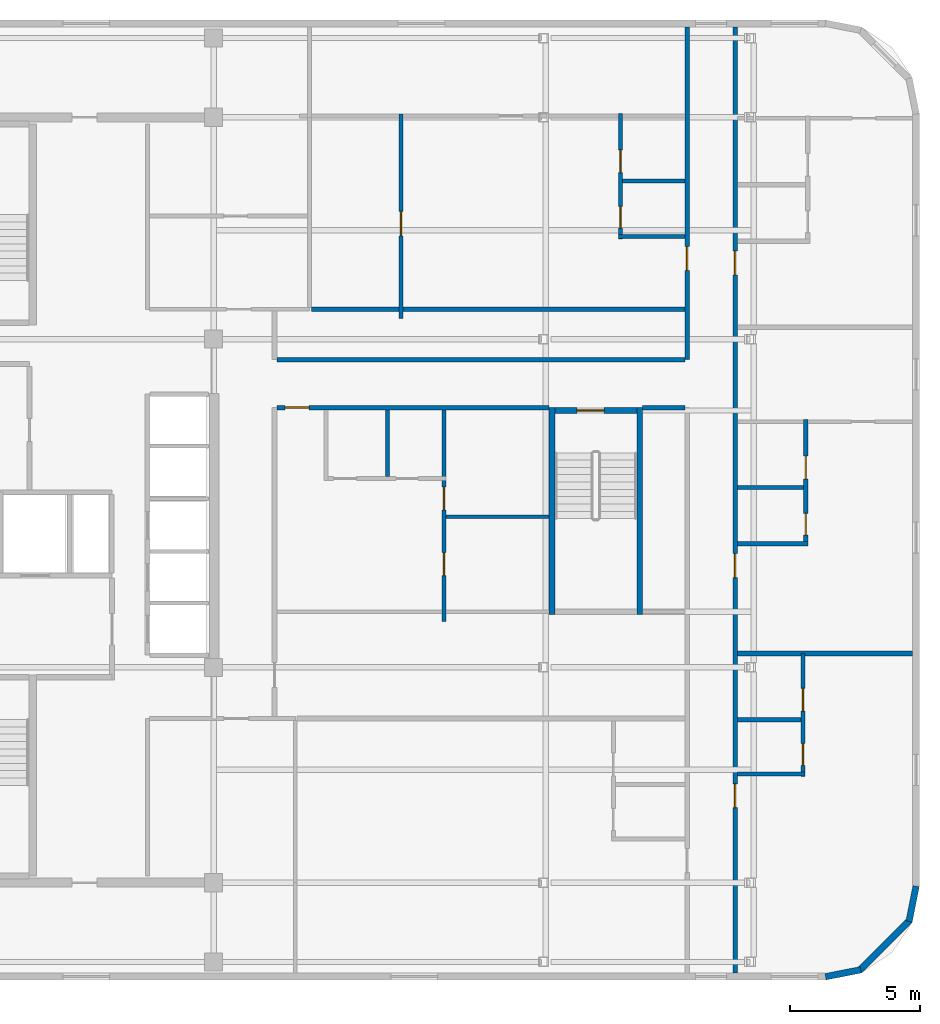
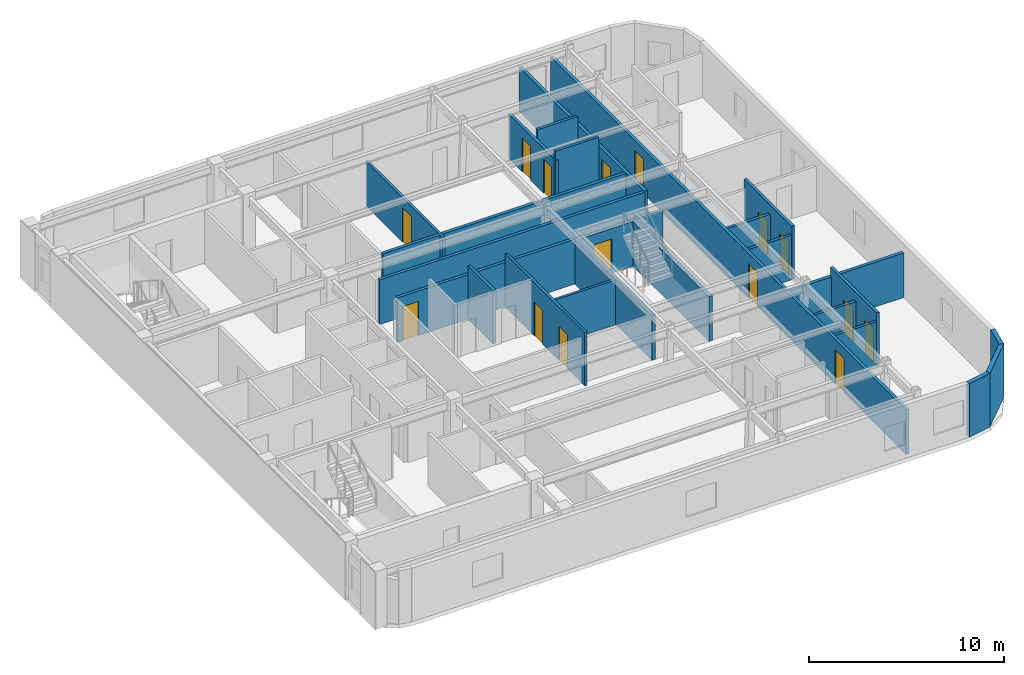
# One storey, part 4 of 8: 26 walls, 15 doors, 15 openings.
"""IFC4 building model written with IfcOpenShell, lengths in metres."""

from ifc_helpers import new_model, si_unit, direction, frame, frame_2d, origin, place, context, subcontext, project, spatial, rectangle, extrude, material, layer, layer_set, type_object, element, fill, save


model = new_model("IFC4")

# Units and contexts
model_context = context("Model", 3, precision=1e-05, world=origin(), true_north=direction((0.0, 1.0)))
body_context = subcontext(model_context, "Body", "Model", "MODEL_VIEW")
ifc_project = project(units=[si_unit("LENGTHUNIT", "METRE"), si_unit("AREAUNIT", "SQUARE_METRE"), si_unit("VOLUMEUNIT", "CUBIC_METRE"), si_unit("PLANEANGLEUNIT", "RADIAN"), si_unit("MASSUNIT", "GRAM", prefix="KILO")], contexts=[model_context])

# Site, building, storey
site_placement = place(None, origin())
site = spatial("IfcSite", under=ifc_project, at=site_placement, CompositionType="ELEMENT")
building_placement = place(site_placement, origin())
building = spatial("IfcBuilding", under=site, at=building_placement, Name="Ochreholt Gables", CompositionType="ELEMENT")
storey_placement = place(building_placement, frame((0.0, 0.0, 227.39990234375)))
storey = spatial("IfcBuildingStorey", under=building, at=storey_placement, Name="L59", CompositionType="ELEMENT", Elevation=227.39990234375)

# Walls
ifc_material_1 = material(Name="Precast concrete 40 MPa", Category="concrete")
ifc_layer_1 = layer(ifc_material_1, 0.25, Name="Precast concrete 40 MPa")
ifc_layer_set_1 = layer_set([ifc_layer_1], Name="Precast concrete 40 MPa")
wall_type_1 = type_object("IfcWallType", Name="WALL-EXT-CNR", PredefinedType="SOLIDWALL", material=ifc_layer_set_1)
wall_1_placement = place(storey_placement, frame((58.783447265625, 5.624267578125, 0.0), z_axis=(0.0, 0.0, 1.0), x_axis=(0.980809899341, 0.19496651342, 0.0)))
element("IfcWall", 1, at=wall_1_placement, inside=storey, type_object=wall_type_1, Name="L59 Rounded Corner Wall SE-1", PredefinedType="SOLIDWALL", context=body_context, shape_type="SweptSolid", body=[
    extrude(rectangle(XDim=1.388671875, YDim=0.25, at=frame_2d((0.6943359375, 0.0))), origin(), (0.0, 0.0, 1.0), 3.35009765625),
])
wall_2_placement = place(storey_placement, frame((60.094970703125, 5.867919921875, 0.0), z_axis=(0.0, 0.0, 1.0), x_axis=(0.707106781187, 0.707106781187, 0.0)))
element("IfcWall", 2, at=wall_2_placement, inside=storey, type_object=wall_type_1, Name="L59 Rounded Corner Wall SE-2", PredefinedType="SOLIDWALL", context=body_context, shape_type="SweptSolid", body=[
    extrude(rectangle(XDim=2.7392578125, YDim=0.25, at=frame_2d((1.36962890625, 0.0))), origin(), (0.0, 0.0, 1.0), 3.35009765625),
])
wall_3_placement = place(storey_placement, frame((62.0048828125, 7.75439453125, 0.0), z_axis=(0.0, 0.0, 1.0), x_axis=(0.195135625965, 0.9807762678, 0.0)))
element("IfcWall", 3, at=wall_3_placement, inside=storey, type_object=wall_type_1, Name="L59 Rounded Corner Wall SE-3", PredefinedType="SOLIDWALL", context=body_context, shape_type="SweptSolid", body=[
    extrude(rectangle(XDim=1.388671875, YDim=0.25, at=frame_2d((0.6943359375, 0.0))), origin(), (0.0, 0.0, 1.0), 3.35009765625),
])

# Wall, opening, door
ifc_material_2 = material(Name="Fire-Rated Gypsum Acoustic Partition", Category="gypsum")
ifc_layer_2 = layer(ifc_material_2, 0.179931640625, Name="Fire-Rated Gypsum Acoustic Partition")
ifc_layer_set_2 = layer_set([ifc_layer_2], Name="Fire-Rated Gypsum Acoustic Partition")
wall_type_2 = type_object("IfcWallType", Name="WALL-INT-CR180", PredefinedType="STANDARD", material=ifc_layer_set_2)
wall_4_placement = place(storey_placement, frame((53.450439453125, 29.409912109375, 0.0), z_axis=(0.0, 0.0, 1.0), x_axis=(0.0, 1.0, 0.0)))
wall_4 = element("IfcWall", 4, at=wall_4_placement, inside=storey, type_object=wall_type_2, Name="L59 Interior Wall WI-C3GW2-L59", PredefinedType="STANDARD", context=body_context, shape_type="SweptSolid", body=[
    extrude(rectangle(XDim=12.820068359375, YDim=0.179931640625, at=frame_2d((6.41015625, 0.0))), origin(), (0.0, 0.0, 1.0), 2.793212890625),
])
opening_1_placement = place(wall_4_placement, frame((3.43994140625, 0.0, 0.0)))
opening_1 = element("IfcOpeningElement", 5, at=opening_1_placement, cuts=wall_4, Name="Opening D-UN1", PredefinedType="OPENING", context=body_context, shape_type="SweptSolid", body=[
    extrude(rectangle(XDim=0.919921875, YDim=2.14990234375, at=frame_2d((0.4599609375, 1.074951171875))), frame((0.0, 0.099853515625, 0.0), z_axis=(0.0, -1.0, 0.0), x_axis=(1.0, 0.0, 0.0)), (0.0, 0.0, 1.0), 0.199951171875),
])
ifc_material_3 = material(Name="Engineered Oak Timber", Category="wood")
door_type_1 = type_object("IfcDoorType", Name="DR-INT-UNT920", OperationType="NOTDEFINED", PredefinedType="DOOR", material=ifc_material_3)
door_1_placement = place(opening_1_placement, origin())
door_1 = element("IfcDoor", 6, at=door_1_placement, inside=storey, type_object=door_type_1, Name="L59 Door D-U-L59NM2-ENT", OperationType="SINGLE_SWING_RIGHT", OverallHeight=2.14990234375, OverallWidth=0.919921875, PredefinedType="DOOR", context=body_context, shape_type="SweptSolid", body=[
    extrude(rectangle(XDim=0.919921875, YDim=2.14990234375, at=frame_2d((0.4599609375, 1.074951171875))), frame((0.0, 0.02490234375, 0.0), z_axis=(0.0, -1.0, 0.0), x_axis=(1.0, 0.0, 0.0)), (0.0, 0.0, 1.0), 0.050048828125),
])
fill(opening_1, door_1)

wall_5_placement = place(storey_placement, frame((37.639892578125, 27.56005859375, 0.0), z_axis=(0.0, 0.0, 1.0), x_axis=(1.0, 0.0, 0.0)))
wall_5 = element("IfcWall", 7, at=wall_5_placement, inside=storey, type_object=wall_type_2, Name="L59 Interior Wall WI-C3BRS1-L59", PredefinedType="STANDARD", context=body_context, shape_type="SweptSolid", body=[
    extrude(rectangle(XDim=10.489990234375, YDim=0.179931640625, at=frame_2d((5.2451171875, 0.0))), origin(), (0.0, 0.0, 1.0), 2.793212890625),
])
opening_2_placement = place(wall_5_placement, frame((0.320068359375, 0.0, 0.0)))
opening_2 = element("IfcOpeningElement", 8, at=opening_2_placement, cuts=wall_5, Name="Opening D-UN1", PredefinedType="OPENING", context=body_context, shape_type="SweptSolid", body=[
    extrude(rectangle(XDim=0.919921875, YDim=2.14990234375, at=frame_2d((0.4599609375, 1.074951171875))), frame((0.0, 0.099853515625, 0.0), z_axis=(0.0, -1.0, 0.0), x_axis=(1.0, 0.0, 0.0)), (0.0, 0.0, 1.0), 0.199951171875),
])
door_2_placement = place(opening_2_placement, origin())
door_2 = element("IfcDoor", 9, at=door_2_placement, inside=storey, type_object=door_type_1, Name="L59 Door D-U-L59SM2-ENT", OperationType="SINGLE_SWING_LEFT", OverallHeight=2.14990234375, OverallWidth=0.919921875, PredefinedType="DOOR", context=body_context, shape_type="SweptSolid", body=[
    extrude(rectangle(XDim=0.919921875, YDim=2.14990234375, at=frame_2d((0.4599609375, 1.074951171875))), frame((0.0, 0.02490234375, 0.0), z_axis=(0.0, -1.0, 0.0), x_axis=(1.0, 0.0, 0.0)), (0.0, 0.0, 1.0), 0.050048828125),
])
fill(opening_2, door_2)

# Walls
wall_6_placement = place(storey_placement, frame((51.72998046875, 27.56005859375, 0.0), z_axis=(0.0, 0.0, 1.0), x_axis=(1.0, 0.0, 0.0)))
element("IfcWall", 10, at=wall_6_placement, inside=storey, type_object=wall_type_2, Name="L59 Interior Wall WI-C3BRS1E-L59", PredefinedType="STANDARD", context=body_context, shape_type="SweptSolid", body=[
    extrude(rectangle(XDim=1.63037109375, YDim=0.179931640625, at=frame_2d((0.815185546875, 0.0))), origin(), (0.0, 0.0, 1.0), 2.793212890625),
])
wall_7_placement = place(storey_placement, frame((37.639892578125, 29.409912109375, 0.0), z_axis=(0.0, 0.0, 1.0), x_axis=(1.0, 0.0, 0.0)))
element("IfcWall", 11, at=wall_7_placement, inside=storey, type_object=wall_type_2, Name="L59 Interior Wall WI-C3BRN1-L59", PredefinedType="STANDARD", context=body_context, shape_type="SweptSolid", body=[
    extrude(rectangle(XDim=15.720458984375, YDim=0.179931640625, at=frame_2d((7.8603515625, 0.0))), origin(), (0.0, 0.0, 1.0), 2.793212890625),
])

# Wall, openings, doors
wall_8_placement = place(storey_placement, frame((55.30029296875, 5.77001953125, 0.0), z_axis=(0.0, 0.0, 1.0), x_axis=(0.0, 1.0, 0.0)))
wall_8 = element("IfcWall", 12, at=wall_8_placement, inside=storey, type_object=wall_type_2, Name="L59 Interior Wall WI-C3GE-L59", PredefinedType="STANDARD", context=body_context, shape_type="SweptSolid", body=[
    extrude(rectangle(XDim=36.4599609375, YDim=0.179931640625, at=frame_2d((18.22998046875, 0.0))), origin(), (0.0, 0.0, 1.0), 2.793212890625),
])
opening_3_placement = place(wall_8_placement, frame((6.3701171875, 0.0, 0.0)))
opening_3 = element("IfcOpeningElement", 13, at=opening_3_placement, cuts=wall_8, Name="Opening D-UN1", PredefinedType="OPENING", context=body_context, shape_type="SweptSolid", body=[
    extrude(rectangle(XDim=0.919921875, YDim=2.14990234375, at=frame_2d((0.4599609375, 1.074951171875))), frame((0.0, 0.099853515625, 0.0), z_axis=(0.0, -1.0, 0.0), x_axis=(1.0, 0.0, 0.0)), (0.0, 0.0, 1.0), 0.199951171875),
])
opening_4_placement = place(wall_8_placement, frame((15.242919921875, 0.0, 0.0)))
opening_4 = element("IfcOpeningElement", 14, at=opening_4_placement, cuts=wall_8, Name="Opening D-UN1", PredefinedType="OPENING", context=body_context, shape_type="SweptSolid", body=[
    extrude(rectangle(XDim=0.919921875, YDim=2.14990234375, at=frame_2d((0.4599609375, 1.074951171875))), frame((0.0, 0.099853515625, 0.0), z_axis=(0.0, -1.0, 0.0), x_axis=(1.0, 0.0, 0.0)), (0.0, 0.0, 1.0), 0.199951171875),
])
opening_5_placement = place(wall_8_placement, frame((26.904541015625, 0.0, 0.0)))
opening_5 = element("IfcOpeningElement", 15, at=opening_5_placement, cuts=wall_8, Name="Opening D-UN1", PredefinedType="OPENING", context=body_context, shape_type="SweptSolid", body=[
    extrude(rectangle(XDim=0.919921875, YDim=2.14990234375, at=frame_2d((0.4599609375, 1.074951171875))), frame((0.0, 0.099853515625, 0.0), z_axis=(0.0, -1.0, 0.0), x_axis=(1.0, 0.0, 0.0)), (0.0, 0.0, 1.0), 0.199951171875),
])
door_3_placement = place(opening_3_placement, origin())
door_3 = element("IfcDoor", 16, at=door_3_placement, inside=storey, type_object=door_type_1, Name="L59 Door D-U-L59E1-ENT", OperationType="SINGLE_SWING_RIGHT", OverallHeight=2.14990234375, OverallWidth=0.919921875, PredefinedType="DOOR", context=body_context, shape_type="SweptSolid", body=[
    extrude(rectangle(XDim=0.919921875, YDim=2.14990234375, at=frame_2d((0.4599609375, 1.074951171875))), frame((0.0, 0.02490234375, 0.0), z_axis=(0.0, -1.0, 0.0), x_axis=(1.0, 0.0, 0.0)), (0.0, 0.0, 1.0), 0.050048828125),
])
fill(opening_3, door_3)
door_4_placement = place(opening_4_placement, origin())
door_4 = element("IfcDoor", 17, at=door_4_placement, inside=storey, type_object=door_type_1, Name="L59 Door D-U-L59E2-ENT", OperationType="SINGLE_SWING_LEFT", OverallHeight=2.14990234375, OverallWidth=0.919921875, PredefinedType="DOOR", context=body_context, shape_type="SweptSolid", body=[
    extrude(rectangle(XDim=0.919921875, YDim=2.14990234375, at=frame_2d((0.4599609375, 1.074951171875))), frame((0.0, 0.02490234375, 0.0), z_axis=(0.0, -1.0, 0.0), x_axis=(1.0, 0.0, 0.0)), (0.0, 0.0, 1.0), 0.050048828125),
])
fill(opening_4, door_4)
door_5_placement = place(opening_5_placement, origin())
door_5 = element("IfcDoor", 18, at=door_5_placement, inside=storey, type_object=door_type_1, Name="L59 Door D-U-L59E3-ENT", OperationType="SINGLE_SWING_RIGHT", OverallHeight=2.14990234375, OverallWidth=0.919921875, PredefinedType="DOOR", context=body_context, shape_type="SweptSolid", body=[
    extrude(rectangle(XDim=0.919921875, YDim=2.14990234375, at=frame_2d((0.4599609375, 1.074951171875))), frame((0.0, 0.02490234375, 0.0), z_axis=(0.0, -1.0, 0.0), x_axis=(1.0, 0.0, 0.0)), (0.0, 0.0, 1.0), 0.050048828125),
])
fill(opening_5, door_5)

# Walls
ifc_material_4 = material(Name="Double-Stud Acoustic Demising Wall", Category="gypsum")
ifc_layer_3 = layer(ifc_material_4, 0.18505859375, Name="Double-Stud Acoustic Demising Wall")
ifc_layer_set_3 = layer_set([ifc_layer_3], Name="Double-Stud Acoustic Demising Wall")
wall_type_3 = type_object("IfcWallType", Name="WALL-INT-DM185", PredefinedType="PARTITIONING", material=ifc_layer_set_3)
wall_9_placement = place(storey_placement, frame((55.390380859375, 18.080078125, 0.0), z_axis=(0.0, 0.0, 1.0), x_axis=(1.0, 0.0, 0.0)))
element("IfcWall", 19, at=wall_9_placement, inside=storey, type_object=wall_type_3, Name="L59 Interior Wall WI-C3UDE2-L59", PredefinedType="PARTITIONING", context=body_context, shape_type="SweptSolid", body=[
    extrude(rectangle(XDim=6.739501953125, YDim=0.18505859375, at=frame_2d((3.36962890625, 0.0))), origin(), (0.0, 0.0, 1.0), 2.793212890625),
])
wall_10_placement = place(storey_placement, frame((38.972412109375, 31.35009765625, 0.0), z_axis=(0.0, 0.0, 1.0), x_axis=(1.0, 0.0, 0.0)))
element("IfcWall", 20, at=wall_10_placement, inside=storey, type_object=wall_type_3, Name="L59 Interior Wall WI-C3NMY-L59", PredefinedType="PARTITIONING", context=body_context, shape_type="SweptSolid", body=[
    extrude(rectangle(XDim=14.387939453125, YDim=0.18505859375, at=frame_2d((7.19384765625, 0.0))), origin(), (0.0, 0.0, 1.0), 2.793212890625),
])
ifc_material_5 = material(Name="Moisture-Resistant Plumbing Chase Wall", Category="gypsum")
ifc_layer_4 = layer(ifc_material_5, 0.159912109375, Name="Moisture-Resistant Plumbing Chase Wall")
ifc_layer_set_4 = layer_set([ifc_layer_4], Name="Moisture-Resistant Plumbing Chase Wall")
wall_type_4 = type_object("IfcWallType", Name="WALL-INT-PL160", PredefinedType="PLUMBINGWALL", material=ifc_layer_set_4)
wall_11_placement = place(storey_placement, frame((55.390380859375, 13.43994140625, 0.0), z_axis=(0.0, 0.0, 1.0), x_axis=(1.0, 0.0, 0.0)))
element("IfcWall", 21, at=wall_11_placement, inside=storey, type_object=wall_type_4, Name="L59 Interior Wall WU-L59E1-WYS", PredefinedType="PLUMBINGWALL", context=body_context, shape_type="SweptSolid", body=[
    extrude(rectangle(XDim=2.60595703125, YDim=0.159912109375, at=frame_2d((1.302978515625, 0.0))), origin(), (0.0, 0.0, 1.0), 2.793212890625),
])

# Wall, openings, doors
wall_12_placement = place(storey_placement, frame((57.91650390625, 13.35009765625, 0.0), z_axis=(0.0, 0.0, 1.0), x_axis=(0.0, 1.0, 0.0)))
wall_12 = element("IfcWall", 22, at=wall_12_placement, inside=storey, type_object=wall_type_4, Name="L59 Interior Wall WU-L59E1-WX", PredefinedType="PLUMBINGWALL", context=body_context, shape_type="SweptSolid", body=[
    extrude(rectangle(XDim=4.72998046875, YDim=0.159912109375, at=frame_2d((2.364990234375, 0.0))), origin(), (0.0, 0.0, 1.0), 3.35009765625),
])
opening_6_placement = place(wall_12_placement, frame((0.419921875, 0.0, 0.0)))
opening_6 = element("IfcOpeningElement", 23, at=opening_6_placement, cuts=wall_12, Name="Opening D-BT2", PredefinedType="OPENING", context=body_context, shape_type="SweptSolid", body=[
    extrude(rectangle(XDim=0.840087890625, YDim=2.1201171875, at=frame_2d((0.419921875, 1.06005859375))), frame((0.0, 0.08984375, 0.0), z_axis=(0.0, -1.0, 0.0), x_axis=(1.0, 0.0, 0.0)), (0.0, 0.0, 1.0), 0.179931640625),
])
opening_7_placement = place(wall_12_placement, frame((2.512939453125, 0.0, 0.0)))
opening_7 = element("IfcOpeningElement", 24, at=opening_7_placement, cuts=wall_12, Name="Opening D-GN2", PredefinedType="OPENING", context=body_context, shape_type="SweptSolid", body=[
    extrude(rectangle(XDim=0.8798828125, YDim=2.1201171875, at=frame_2d((0.43994140625, 1.06005859375))), frame((0.0, 0.08984375, 0.0), z_axis=(0.0, -1.0, 0.0), x_axis=(1.0, 0.0, 0.0)), (0.0, 0.0, 1.0), 0.179931640625),
])
door_type_2 = type_object("IfcDoorType", Name="DR-INT-BTH840", OperationType="NOTDEFINED", PredefinedType="DOOR", material=ifc_material_3)
door_6_placement = place(opening_6_placement, origin())
door_6 = element("IfcDoor", 25, at=door_6_placement, inside=storey, type_object=door_type_2, Name="L59 Door D-U-L59E1-BTH", OperationType="SINGLE_SWING_LEFT", OverallHeight=2.1201171875, OverallWidth=0.840087890625, PredefinedType="DOOR", context=body_context, shape_type="SweptSolid", body=[
    extrude(rectangle(XDim=0.840087890625, YDim=2.1201171875, at=frame_2d((0.419921875, 1.06005859375))), frame((0.0, 0.02490234375, 0.0), z_axis=(0.0, -1.0, 0.0), x_axis=(1.0, 0.0, 0.0)), (0.0, 0.0, 1.0), 0.050048828125),
])
fill(opening_6, door_6)
door_type_3 = type_object("IfcDoorType", Name="DR-INT-GEN880", OperationType="NOTDEFINED", PredefinedType="DOOR", material=ifc_material_3)
door_7_placement = place(opening_7_placement, origin())
door_7 = element("IfcDoor", 26, at=door_7_placement, inside=storey, type_object=door_type_3, Name="L59 Door D-U-L59E1-KIT", OperationType="SINGLE_SWING_RIGHT", OverallHeight=2.1201171875, OverallWidth=0.8798828125, PredefinedType="DOOR", context=body_context, shape_type="SweptSolid", body=[
    extrude(rectangle(XDim=0.8798828125, YDim=2.1201171875, at=frame_2d((0.43994140625, 1.06005859375))), frame((0.0, 0.02490234375, 0.0), z_axis=(0.0, -1.0, 0.0), x_axis=(1.0, 0.0, 0.0)), (0.0, 0.0, 1.0), 0.050048828125),
])
fill(opening_7, door_7)

# Walls
wall_13_placement = place(storey_placement, frame((55.390380859375, 15.532958984375, 0.0), z_axis=(0.0, 0.0, 1.0), x_axis=(1.0, 0.0, 0.0)))
element("IfcWall", 27, at=wall_13_placement, inside=storey, type_object=wall_type_4, Name="L59 Interior Wall WU-L59E1-WM", PredefinedType="PLUMBINGWALL", context=body_context, shape_type="SweptSolid", body=[
    extrude(rectangle(XDim=2.446044921875, YDim=0.159912109375, at=frame_2d((1.22314453125, 0.0))), origin(), (0.0, 0.0, 1.0), 2.793212890625),
])
wall_14_placement = place(storey_placement, frame((55.390380859375, 22.31298828125, 0.0), z_axis=(0.0, 0.0, 1.0), x_axis=(1.0, 0.0, 0.0)))
element("IfcWall", 28, at=wall_14_placement, inside=storey, type_object=wall_type_4, Name="L59 Interior Wall WU-L59E2-FYS", PredefinedType="PLUMBINGWALL", context=body_context, shape_type="SweptSolid", body=[
    extrude(rectangle(XDim=2.7119140625, YDim=0.159912109375, at=frame_2d((1.35595703125, 0.0))), origin(), (0.0, 0.0, 1.0), 2.793212890625),
])

# Wall, openings, doors
wall_15_placement = place(storey_placement, frame((58.0224609375, 22.222900390625, 0.0), z_axis=(0.0, 0.0, 1.0), x_axis=(0.0, 1.0, 0.0)))
wall_15 = element("IfcWall", 29, at=wall_15_placement, inside=storey, type_object=wall_type_4, Name="L59 Interior Wall WU-L59E2-WX", PredefinedType="PLUMBINGWALL", context=body_context, shape_type="SweptSolid", body=[
    extrude(rectangle(XDim=4.88720703125, YDim=0.159912109375, at=frame_2d((2.443603515625, 0.0))), origin(), (0.0, 0.0, 1.0), 3.35009765625),
])
opening_8_placement = place(wall_15_placement, frame((0.419921875, 0.0, 0.0)))
opening_8 = element("IfcOpeningElement", 30, at=opening_8_placement, cuts=wall_15, Name="Opening D-BT2", PredefinedType="OPENING", context=body_context, shape_type="SweptSolid", body=[
    extrude(rectangle(XDim=0.840087890625, YDim=2.1201171875, at=frame_2d((0.419921875, 1.06005859375))), frame((0.0, 0.08984375, 0.0), z_axis=(0.0, -1.0, 0.0), x_axis=(1.0, 0.0, 0.0)), (0.0, 0.0, 1.0), 0.179931640625),
])
opening_9_placement = place(wall_15_placement, frame((2.585205078125, 0.0, 0.0)))
opening_9 = element("IfcOpeningElement", 31, at=opening_9_placement, cuts=wall_15, Name="Opening D-GN2", PredefinedType="OPENING", context=body_context, shape_type="SweptSolid", body=[
    extrude(rectangle(XDim=0.8798828125, YDim=2.1201171875, at=frame_2d((0.43994140625, 1.06005859375))), frame((0.0, 0.08984375, 0.0), z_axis=(0.0, -1.0, 0.0), x_axis=(1.0, 0.0, 0.0)), (0.0, 0.0, 1.0), 0.179931640625),
])
door_8_placement = place(opening_8_placement, origin())
door_8 = element("IfcDoor", 32, at=door_8_placement, inside=storey, type_object=door_type_2, Name="L59 Door D-U-L59E2-BTH", OperationType="SINGLE_SWING_RIGHT", OverallHeight=2.1201171875, OverallWidth=0.840087890625, PredefinedType="DOOR", context=body_context, shape_type="SweptSolid", body=[
    extrude(rectangle(XDim=0.840087890625, YDim=2.1201171875, at=frame_2d((0.419921875, 1.06005859375))), frame((0.0, 0.02490234375, 0.0), z_axis=(0.0, -1.0, 0.0), x_axis=(1.0, 0.0, 0.0)), (0.0, 0.0, 1.0), 0.050048828125),
])
fill(opening_8, door_8)
door_9_placement = place(opening_9_placement, origin())
door_9 = element("IfcDoor", 33, at=door_9_placement, inside=storey, type_object=door_type_3, Name="L59 Door D-U-L59E2-KIT", OperationType="SINGLE_SWING_LEFT", OverallHeight=2.1201171875, OverallWidth=0.8798828125, PredefinedType="DOOR", context=body_context, shape_type="SweptSolid", body=[
    extrude(rectangle(XDim=0.8798828125, YDim=2.1201171875, at=frame_2d((0.43994140625, 1.06005859375))), frame((0.0, 0.02490234375, 0.0), z_axis=(0.0, -1.0, 0.0), x_axis=(1.0, 0.0, 0.0)), (0.0, 0.0, 1.0), 0.050048828125),
])
fill(opening_9, door_9)

# Walls
wall_16_placement = place(storey_placement, frame((55.390380859375, 24.478271484375, 0.0), z_axis=(0.0, 0.0, 1.0), x_axis=(1.0, 0.0, 0.0)))
element("IfcWall", 34, at=wall_16_placement, inside=storey, type_object=wall_type_4, Name="L59 Interior Wall WU-L59E2-WK", PredefinedType="PLUMBINGWALL", context=body_context, shape_type="SweptSolid", body=[
    extrude(rectangle(XDim=2.552001953125, YDim=0.159912109375, at=frame_2d((1.27587890625, 0.0))), origin(), (0.0, 0.0, 1.0), 2.793212890625),
])
for number, where, z_axis, x_axis, name in (
    (35, (41.89599609375, 24.909912109375, 0.0), (0.0, 0.0, 1.0), (0.0, 1.0, 0.0), "L59 Interior Wall WU-L59SM2-WK"),
    (36, (50.80029296875, 34.14990234375, 0.0), (0.0, 0.0, 1.0), (1.0, 0.0, 0.0), "L59 Interior Wall WU-L59NM2-FYS"),
):
    element("IfcWall", number, at=place(storey_placement, frame(where, z_axis=z_axis, x_axis=x_axis)), inside=storey, type_object=wall_type_4, Name=name, PredefinedType="PLUMBINGWALL", context=body_context, shape_type="SweptSolid", body=[
        extrude(rectangle(XDim=2.56005859375, YDim=0.159912109375, at=frame_2d((1.280029296875, 0.0))), origin(), (0.0, 0.0, 1.0), 3.35009765625),
    ])

# Wall, openings, doors
wall_17_placement = place(storey_placement, frame((50.88037109375, 34.06005859375, 0.0), z_axis=(0.0, 0.0, 1.0), x_axis=(0.0, 1.0, 0.0)))
wall_17 = element("IfcWall", 37, at=wall_17_placement, inside=storey, type_object=wall_type_4, Name="L59 Interior Wall WU-L59NM2-WX", PredefinedType="PLUMBINGWALL", context=body_context, shape_type="SweptSolid", body=[
    extrude(rectangle(XDim=4.829833984375, YDim=0.159912109375, at=frame_2d((2.4150390625, 0.0))), origin(), (0.0, 0.0, 1.0), 2.793212890625),
])
opening_10_placement = place(wall_17_placement, frame((0.419921875, 0.0, 0.0)))
opening_10 = element("IfcOpeningElement", 38, at=opening_10_placement, cuts=wall_17, Name="Opening D-BT2", PredefinedType="OPENING", context=body_context, shape_type="SweptSolid", body=[
    extrude(rectangle(XDim=0.840087890625, YDim=2.1201171875, at=frame_2d((0.419921875, 1.06005859375))), frame((0.0, 0.08984375, 0.0), z_axis=(0.0, -1.0, 0.0), x_axis=(1.0, 0.0, 0.0)), (0.0, 0.0, 1.0), 0.179931640625),
])
opening_11_placement = place(wall_17_placement, frame((2.55908203125, 0.0, 0.0)))
opening_11 = element("IfcOpeningElement", 39, at=opening_11_placement, cuts=wall_17, Name="Opening D-GN2", PredefinedType="OPENING", context=body_context, shape_type="SweptSolid", body=[
    extrude(rectangle(XDim=0.8798828125, YDim=2.1201171875, at=frame_2d((0.43994140625, 1.06005859375))), frame((0.0, 0.08984375, 0.0), z_axis=(0.0, -1.0, 0.0), x_axis=(1.0, 0.0, 0.0)), (0.0, 0.0, 1.0), 0.179931640625),
])
door_10_placement = place(opening_10_placement, origin())
door_10 = element("IfcDoor", 40, at=door_10_placement, inside=storey, type_object=door_type_2, Name="L59 Door D-U-L59NM2-BTH", OperationType="SINGLE_SWING_LEFT", OverallHeight=2.1201171875, OverallWidth=0.840087890625, PredefinedType="DOOR", context=body_context, shape_type="SweptSolid", body=[
    extrude(rectangle(XDim=0.840087890625, YDim=2.1201171875, at=frame_2d((0.419921875, 1.06005859375))), frame((0.0, 0.02490234375, 0.0), z_axis=(0.0, -1.0, 0.0), x_axis=(1.0, 0.0, 0.0)), (0.0, 0.0, 1.0), 0.050048828125),
])
fill(opening_10, door_10)
door_11_placement = place(opening_11_placement, origin())
door_11 = element("IfcDoor", 41, at=door_11_placement, inside=storey, type_object=door_type_3, Name="L59 Door D-U-L59NM2-KIT", OperationType="SINGLE_SWING_RIGHT", OverallHeight=2.1201171875, OverallWidth=0.8798828125, PredefinedType="DOOR", context=body_context, shape_type="SweptSolid", body=[
    extrude(rectangle(XDim=0.8798828125, YDim=2.1201171875, at=frame_2d((0.43994140625, 1.06005859375))), frame((0.0, 0.02490234375, 0.0), z_axis=(0.0, -1.0, 0.0), x_axis=(1.0, 0.0, 0.0)), (0.0, 0.0, 1.0), 0.050048828125),
])
fill(opening_11, door_11)

# Wall
wall_18_placement = place(storey_placement, frame((50.96044921875, 36.2890625, 0.0), z_axis=(0.0, 0.0, 1.0), x_axis=(1.0, 0.0, 0.0)))
element("IfcWall", 42, at=wall_18_placement, inside=storey, type_object=wall_type_4, Name="L59 Interior Wall WU-L59NM2-WK", PredefinedType="PLUMBINGWALL", context=body_context, shape_type="SweptSolid", body=[
    extrude(rectangle(XDim=2.39990234375, YDim=0.159912109375, at=frame_2d((1.199951171875, 0.0))), origin(), (0.0, 0.0, 1.0), 3.35009765625),
])

# Wall, openings, doors
ifc_material_6 = material(Name="Lightweight Stud Partition", Category="gypsum")
ifc_layer_5 = layer(ifc_material_6, 0.14501953125, Name="Lightweight Stud Partition")
ifc_layer_set_5 = layer_set([ifc_layer_5], Name="Lightweight Stud Partition")
wall_type_5 = type_object("IfcWallType", Name="WALL-INT-PT145", PredefinedType="PARTITIONING", material=ifc_layer_set_5)
wall_19_placement = place(storey_placement, frame((44.080078125, 19.320068359375, 0.0), z_axis=(0.0, 0.0, 1.0), x_axis=(0.0, 1.0, 0.0)))
wall_19 = element("IfcWall", 43, at=wall_19_placement, inside=storey, type_object=wall_type_5, Name="L59 Interior Wall WU-L59SM2-MNX", PredefinedType="PARTITIONING", context=body_context, shape_type="SweptSolid", body=[
    extrude(rectangle(XDim=8.14990234375, YDim=0.14501953125, at=frame_2d((4.074951171875, 0.0))), origin(), (0.0, 0.0, 1.0), 3.35009765625),
])
opening_12_placement = place(wall_19_placement, frame((1.77001953125, 0.0, 0.0)))
opening_12 = element("IfcOpeningElement", 44, at=opening_12_placement, cuts=wall_19, Name="Opening D-BD2", PredefinedType="OPENING", context=body_context, shape_type="SweptSolid", body=[
    extrude(rectangle(XDim=0.8798828125, YDim=2.139892578125, at=frame_2d((0.43994140625, 1.06982421875))), frame((0.0, 0.08251953125, 0.0), z_axis=(0.0, -1.0, 0.0), x_axis=(1.0, 0.0, 0.0)), (0.0, 0.0, 1.0), 0.1650390625),
])
opening_13_placement = place(wall_19_placement, frame((4.300048828125, 0.0, 0.0)))
opening_13 = element("IfcOpeningElement", 45, at=opening_13_placement, cuts=wall_19, Name="Opening D-GN2", PredefinedType="OPENING", context=body_context, shape_type="SweptSolid", body=[
    extrude(rectangle(XDim=0.8798828125, YDim=2.1201171875, at=frame_2d((0.43994140625, 1.06005859375))), frame((0.0, 0.08251953125, 0.0), z_axis=(0.0, -1.0, 0.0), x_axis=(1.0, 0.0, 0.0)), (0.0, 0.0, 1.0), 0.1650390625),
])
door_type_4 = type_object("IfcDoorType", Name="DR-INT-BED880", OperationType="NOTDEFINED", PredefinedType="DOOR", material=ifc_material_3)
door_12_placement = place(opening_12_placement, origin())
door_12 = element("IfcDoor", 46, at=door_12_placement, inside=storey, type_object=door_type_4, Name="L59 Door D-U-L59SM2-BD1", OperationType="SINGLE_SWING_LEFT", OverallHeight=2.139892578125, OverallWidth=0.8798828125, PredefinedType="DOOR", context=body_context, shape_type="SweptSolid", body=[
    extrude(rectangle(XDim=0.8798828125, YDim=2.139892578125, at=frame_2d((0.43994140625, 1.06982421875))), frame((0.0, 0.02490234375, 0.0), z_axis=(0.0, -1.0, 0.0), x_axis=(1.0, 0.0, 0.0)), (0.0, 0.0, 1.0), 0.050048828125),
])
fill(opening_12, door_12)
door_13_placement = place(opening_13_placement, origin())
door_13 = element("IfcDoor", 47, at=door_13_placement, inside=storey, type_object=door_type_3, Name="L59 Door D-U-L59SM2-BD2", OperationType="SINGLE_SWING_RIGHT", OverallHeight=2.1201171875, OverallWidth=0.8798828125, PredefinedType="DOOR", context=body_context, shape_type="SweptSolid", body=[
    extrude(rectangle(XDim=0.8798828125, YDim=2.1201171875, at=frame_2d((0.43994140625, 1.06005859375))), frame((0.0, 0.02490234375, 0.0), z_axis=(0.0, -1.0, 0.0), x_axis=(1.0, 0.0, 0.0)), (0.0, 0.0, 1.0), 0.050048828125),
])
fill(opening_13, door_13)

# Wall
wall_20_placement = place(storey_placement, frame((44.159912109375, 23.35009765625, 0.0), z_axis=(0.0, 0.0, 1.0), x_axis=(1.0, 0.0, 0.0)))
element("IfcWall", 48, at=wall_20_placement, inside=storey, type_object=wall_type_5, Name="L59 Interior Wall WU-L59SM2-RDV", PredefinedType="PARTITIONING", context=body_context, shape_type="SweptSolid", body=[
    extrude(rectangle(XDim=3.969970703125, YDim=0.14501953125, at=frame_2d((1.98486328125, 0.0))), origin(), (0.0, 0.0, 1.0), 2.793212890625),
])

# Wall, opening, door
wall_21_placement = place(storey_placement, frame((42.420654296875, 30.989990234375, 0.0), z_axis=(0.0, 0.0, 1.0), x_axis=(0.0, 1.0, 0.0)))
wall_21 = element("IfcWall", 49, at=wall_21_placement, inside=storey, type_object=wall_type_5, Name="L59 Interior Wall WU-L59NM2-DNV", PredefinedType="PARTITIONING", context=body_context, shape_type="SweptSolid", body=[
    extrude(rectangle(XDim=7.889892578125, YDim=0.14501953125, at=frame_2d((3.94482421875, 0.0))), origin(), (0.0, 0.0, 1.0), 2.793212890625),
])
opening_14_placement = place(wall_21_placement, frame((3.18505859375, 0.0, 0.0)))
opening_14 = element("IfcOpeningElement", 50, at=opening_14_placement, cuts=wall_21, Name="Opening D-GN1", PredefinedType="OPENING", context=body_context, shape_type="SweptSolid", body=[
    extrude(rectangle(XDim=0.949951171875, YDim=2.14990234375, at=frame_2d((0.47509765625, 1.074951171875))), frame((0.0, 0.08251953125, 0.0), z_axis=(0.0, -1.0, 0.0), x_axis=(1.0, 0.0, 0.0)), (0.0, 0.0, 1.0), 0.1650390625),
])
door_type_5 = type_object("IfcDoorType", Name="DR-INT-GEN950", OperationType="NOTDEFINED", PredefinedType="DOOR", material=ifc_material_3)
door_14_placement = place(opening_14_placement, origin())
door_14 = element("IfcDoor", 51, at=door_14_placement, inside=storey, type_object=door_type_5, Name="L59 Door D-U-L59NM2-DIN", OperationType="SINGLE_SWING_LEFT", OverallHeight=2.14990234375, OverallWidth=0.949951171875, PredefinedType="DOOR", context=body_context, shape_type="SweptSolid", body=[
    extrude(rectangle(XDim=0.949951171875, YDim=2.14990234375, at=frame_2d((0.47509765625, 1.074951171875))), frame((0.0, 0.02490234375, 0.0), z_axis=(0.0, -1.0, 0.0), x_axis=(1.0, 0.0, 0.0)), (0.0, 0.0, 1.0), 0.050048828125),
])
fill(opening_14, door_14)

# Walls
ifc_material_7 = material(Name="Concrete 50 MPa", Category="concrete")
ifc_layer_6 = layer(ifc_material_7, 0.219970703125, Name="Concrete 50 MPa")
ifc_layer_set_6 = layer_set([ifc_layer_6], Name="Concrete 50 MPa")
wall_type_6 = type_object("IfcWallType", Name="WALL-STW-220", PredefinedType="SHEAR", material=ifc_layer_set_6)
for number, where, z_axis, x_axis, name in (
    (52, (48.239990234375, 19.580078125, 0.0), (0.0, 0.0, 1.0), (0.0, 1.0, 0.0), "L59 Feature Stair ST-C6 West Wall"),
    (53, (51.6201171875, 19.580078125, 0.0), (0.0, 0.0, 1.0), (0.0, 1.0, 0.0), "L59 Feature Stair ST-C6 East Wall"),
):
    element("IfcWall", number, at=place(storey_placement, frame(where, z_axis=z_axis, x_axis=x_axis)), inside=storey, type_object=wall_type_6, Name=name, PredefinedType="SHEAR", context=body_context, shape_type="SweptSolid", body=[
        extrude(rectangle(XDim=7.97998046875, YDim=0.219970703125, at=frame_2d((3.989990234375, 0.0))), origin(), (0.0, 0.0, 1.0), 2.8115234375),
    ])

# Wall, opening, door
wall_22_placement = place(storey_placement, frame((48.35009765625, 27.449951171875, 0.0), z_axis=(0.0, 0.0, 1.0), x_axis=(1.0, 0.0, 0.0)))
wall_22 = element("IfcWall", 54, at=wall_22_placement, inside=storey, type_object=wall_type_6, Name="L59 Feature Stair ST-C6 North Wall", PredefinedType="SHEAR", context=body_context, shape_type="SweptSolid", body=[
    extrude(rectangle(XDim=3.159912109375, YDim=0.219970703125, at=frame_2d((1.580078125, 0.0))), origin(), (0.0, 0.0, 1.0), 2.8115234375),
])
opening_15_placement = place(wall_22_placement, frame((0.85009765625, 0.0, 0.0)))
opening_15 = element("IfcOpeningElement", 55, at=opening_15_placement, cuts=wall_22, Name="Opening D-STC", PredefinedType="OPENING", context=body_context, shape_type="SweptSolid", body=[
    extrude(rectangle(XDim=1.050048828125, YDim=2.14990234375, at=frame_2d((0.52490234375, 1.074951171875))), frame((0.0, 0.119873046875, 0.0), z_axis=(0.0, -1.0, 0.0), x_axis=(1.0, 0.0, 0.0)), (0.0, 0.0, 1.0), 0.239990234375),
])
ifc_material_8 = material(Name="Hollow Metal Steel", Category="steel")
door_type_6 = type_object("IfcDoorType", Name="DR-INT-ST1050", OperationType="NOTDEFINED", PredefinedType="DOOR", material=ifc_material_8)
door_15_placement = place(opening_15_placement, frame((1.050048828125, 0.0, 0.0), z_axis=(0.0, 0.0, 1.0), x_axis=(-1.0, 0.0, 0.0)))
door_15 = element("IfcDoor", 56, at=door_15_placement, inside=storey, type_object=door_type_6, Name="L59 Door D-FST-L59", OperationType="SINGLE_SWING_LEFT", OverallHeight=2.14990234375, OverallWidth=1.050048828125, PredefinedType="DOOR", context=body_context, shape_type="SweptSolid", body=[
    extrude(rectangle(XDim=1.050048828125, YDim=2.14990234375, at=frame_2d((0.52490234375, 1.074951171875))), frame((0.0, 0.02490234375, 0.0), z_axis=(0.0, -1.0, 0.0), x_axis=(1.0, 0.0, 0.0)), (0.0, 0.0, 1.0), 0.050048828125),
])
fill(opening_15, door_15)

save(model, "model.ifc")
